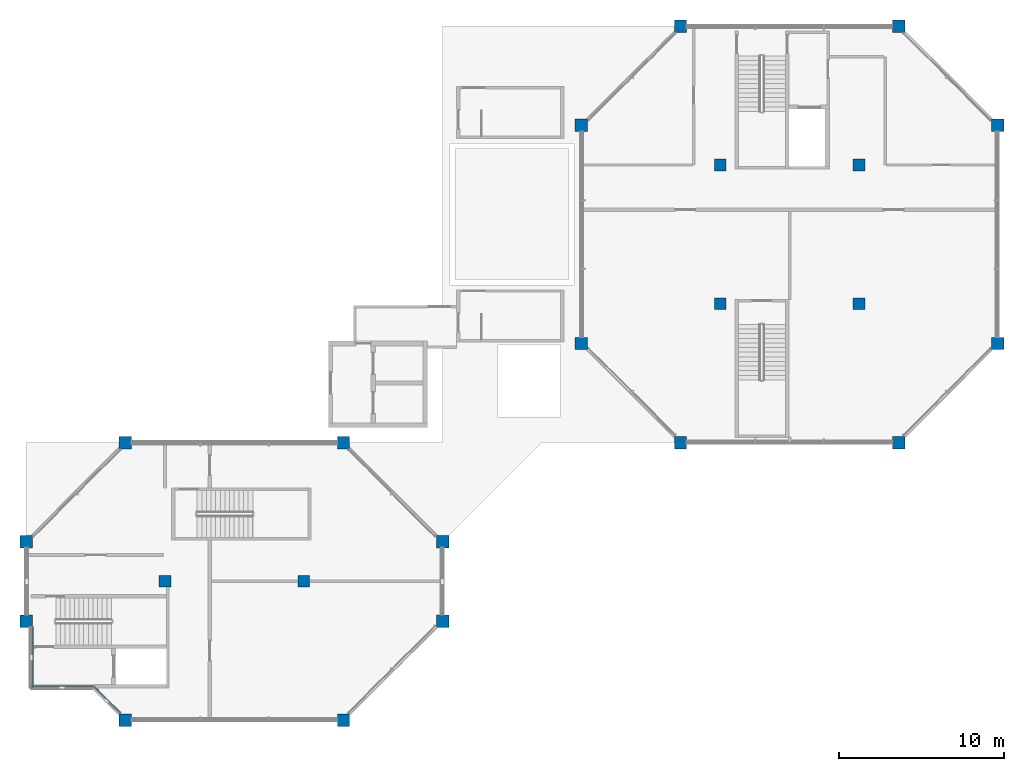
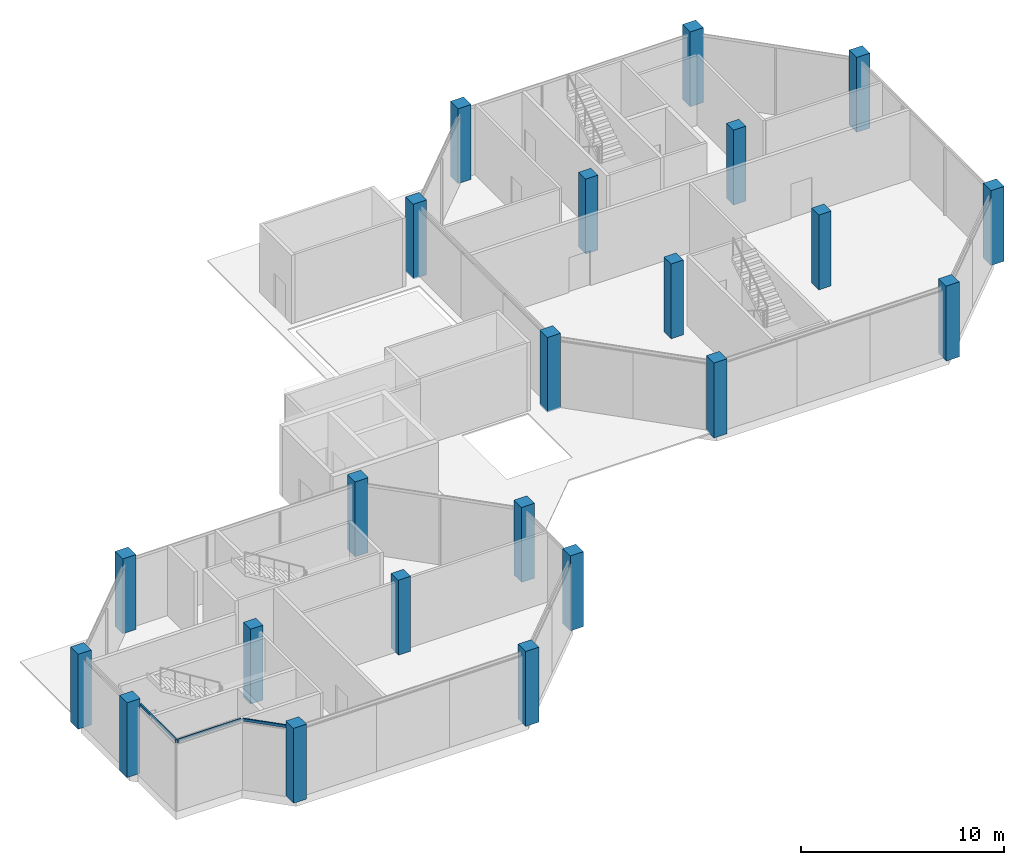
# One storey, part 1 of 10: 22 columns, 3 members, 3 elements without a shape of their own.
"""IFC4 building model written with IfcOpenShell, lengths in metres."""

from ifc_helpers import new_model, si_unit, direction, frame, origin, origin_2d, place, context, subcontext, project, spatial, rectangle, extrude, material, layer, layer_set, material_profile, profile_set, type_object, element, aggregate, save


model = new_model("IFC4")

# Units and contexts
model_context = context("Model", 3, precision=1e-05, world=origin(), true_north=direction((0.0, 1.0)))
body_context = subcontext(model_context, "Body", "Model", "MODEL_VIEW")
ifc_project = project(units=[si_unit("LENGTHUNIT", "METRE"), si_unit("AREAUNIT", "SQUARE_METRE"), si_unit("VOLUMEUNIT", "CUBIC_METRE"), si_unit("PLANEANGLEUNIT", "RADIAN"), si_unit("MASSUNIT", "GRAM", prefix="KILO")], contexts=[model_context])

# Site, building, storey
site_placement = place(None, origin())
site = spatial("IfcSite", under=ifc_project, at=site_placement, CompositionType="ELEMENT")
building_placement = place(site_placement, origin())
building = spatial("IfcBuilding", under=site, at=building_placement, Name="Kawkab Arch Medical Tower", CompositionType="ELEMENT")
storey_placement = place(building_placement, frame((0.0, 0.0, 336.699951171875)))
storey = spatial("IfcBuildingStorey", under=building, at=storey_placement, Name="L78", CompositionType="ELEMENT", Elevation=336.699951171875)

# Columns
ifc_material_1 = material(Name="Concrete C40/50", Category="concrete")
ifc_material_profile_1 = material_profile(ifc_material_1, rectangle(XDim=0.699951171875, YDim=0.699951171875, at=origin_2d()), Name="RC 700x700")
ifc_profile_set_1 = profile_set([ifc_material_profile_1], Name="Concrete C40/50")
column_type_1 = type_object("IfcColumnType", Name="RC 700x700 column C40/50", PredefinedType="COLUMN", material=ifc_profile_set_1)
for number, where, z_axis, x_axis, name in (
    (1, (42.0, -8.39990234375, 0.0), (0.0, 0.0, 1.0), (1.0, 0.0, 0.0), "Column RC 700x700"),
    (2, (50.39990234375, -8.39990234375, 0.0), (0.0, 0.0, 1.0), (1.0, 0.0, 0.0), "Column RC 700x700"),
    (3, (42.0, -16.800048828125, 0.0), (0.0, 0.0, 1.0), (1.0, 0.0, 0.0), "Column RC 700x700"),
    (4, (50.39990234375, -16.800048828125, 0.0), (0.0, 0.0, 1.0), (1.0, 0.0, 0.0), "Column RC 700x700"),
    (5, (8.39990234375, -33.60009765625, 0.0), (0.0, 0.0, 1.0), (1.0, 0.0, 0.0), "Column RC 700x700"),
    (6, (16.800048828125, -33.60009765625, 0.0), (0.0, 0.0, 1.0), (1.0, 0.0, 0.0), "Column RC 700x700"),
):
    element("IfcColumn", number, at=place(storey_placement, frame(where, z_axis=z_axis, x_axis=x_axis)), inside=storey, type_object=column_type_1, Name=name, PredefinedType="COLUMN", context=body_context, shape_type="SweptSolid", body=[
        extrude(rectangle(XDim=0.699951171875, YDim=0.699951171875, at=origin_2d()), origin(), (0.0, 0.0, 1.0), 4.5),
    ])
ifc_material_2 = material(Name="Concrete C40/50", Category="concrete")
ifc_material_profile_2 = material_profile(ifc_material_2, rectangle(XDim=0.75, YDim=0.75, at=origin_2d()), Name="RC 750x750")
ifc_profile_set_2 = profile_set([ifc_material_profile_2], Name="Concrete C40/50")
column_type_2 = type_object("IfcColumnType", Name="RC 750x750 column C40/50", PredefinedType="COLUMN", material=ifc_profile_set_2)
for number, where, z_axis, x_axis, name in (
    (7, (39.60009765625, 0.0, 0.0), (0.0, 0.0, 1.0), (1.0, 0.0, 0.0), "Column RC 750x750"),
    (8, (52.800048828125, 0.0, 0.0), (0.0, 0.0, 1.0), (1.0, 0.0, 0.0), "Column RC 750x750"),
    (9, (33.60009765625, -6.0, 0.0), (0.0, 0.0, 1.0), (1.0, 0.0, 0.0), "Column RC 750x750"),
    (10, (58.800048828125, -6.0, 0.0), (0.0, 0.0, 1.0), (1.0, 0.0, 0.0), "Column RC 750x750"),
    (11, (33.60009765625, -19.199951171875, 0.0), (0.0, 0.0, 1.0), (1.0, 0.0, 0.0), "Column RC 750x750"),
    (12, (58.800048828125, -19.199951171875, 0.0), (0.0, 0.0, 1.0), (1.0, 0.0, 0.0), "Column RC 750x750"),
    (13, (6.0, -25.199951171875, 0.0), (0.0, 0.0, 1.0), (1.0, 0.0, 0.0), "Column RC 750x750"),
    (14, (19.199951171875, -25.199951171875, 0.0), (0.0, 0.0, 1.0), (1.0, 0.0, 0.0), "Column RC 750x750"),
    (15, (39.60009765625, -25.199951171875, 0.0), (0.0, 0.0, 1.0), (1.0, 0.0, 0.0), "Column RC 750x750"),
    (16, (52.800048828125, -25.199951171875, 0.0), (0.0, 0.0, 1.0), (1.0, 0.0, 0.0), "Column RC 750x750"),
    (17, (0.0, -31.199951171875, 0.0), (0.0, 0.0, 1.0), (1.0, 0.0, 0.0), "Column RC 750x750"),
    (18, (25.199951171875, -31.199951171875, 0.0), (0.0, 0.0, 1.0), (1.0, 0.0, 0.0), "Column RC 750x750"),
    (19, (0.0, -36.0, 0.0), (0.0, 0.0, 1.0), (1.0, 0.0, 0.0), "Column RC 750x750"),
    (20, (25.199951171875, -36.0, 0.0), (0.0, 0.0, 1.0), (1.0, 0.0, 0.0), "Column RC 750x750"),
    (21, (6.0, -42.0, 0.0), (0.0, 0.0, 1.0), (1.0, 0.0, 0.0), "Column RC 750x750"),
    (22, (19.199951171875, -42.0, 0.0), (0.0, 0.0, 1.0), (1.0, 0.0, 0.0), "Column RC 750x750"),
):
    element("IfcColumn", number, at=place(storey_placement, frame(where, z_axis=z_axis, x_axis=x_axis)), inside=storey, type_object=column_type_2, Name=name, PredefinedType="COLUMN", context=body_context, shape_type="SweptSolid", body=[
        extrude(rectangle(XDim=0.75, YDim=0.75, at=origin_2d()), origin(), (0.0, 0.0, 1.0), 4.5),
    ])

# Curtain wall, member
ifc_material_3 = material(Name="Bronze anodised aluminium curtain wall frame", Category="aluminium")
ifc_layer = layer(ifc_material_3, 0.159912109375)
ifc_layer_set = layer_set([ifc_layer], Name="Bronze anodised aluminium curtain wall frame")
curtain_wall_type = type_object("IfcCurtainWallType", Name="CW6 helipad lobby and crown glazing", PredefinedType="NOTDEFINED", material=ifc_layer_set)
placement = place(storey_placement, origin())
curtain_wall_1 = element("IfcCurtainWall", 23, at=placement, inside=storey, type_object=curtain_wall_type, Name="CW6 Helipad lobby and crown glazing R14", PredefinedType="NOTDEFINED")
ifc_material_4 = material(Name="Bronze anodised aluminium curtain wall frame", Category="aluminium")
ifc_material_profile_3 = material_profile(ifc_material_4, rectangle(XDim=0.070068359375, YDim=0.159912109375, at=origin_2d()), Name="AL 70x160")
ifc_profile_set_3 = profile_set([ifc_material_profile_3], Name="Bronze anodised aluminium curtain wall frame")
member_type = type_object("IfcMemberType", Name="CW6 transom 160 x 70", PredefinedType="USERDEFINED", material=ifc_profile_set_3)
member_1_placement = place(storey_placement, frame((0.39990234375, -36.375, 4.1201171875), z_axis=(0.0, -1.0, 0.0), x_axis=(1.0, 0.0, 0.0)))
member_1 = element("IfcMember", 24, at=member_1_placement, type_object=member_type, Name="CW6 transom 1", ObjectType="TRANSOM", PredefinedType="USERDEFINED", context=body_context, shape_type="SweptSolid", body=[
    extrude(rectangle(XDim=0.070068359375, YDim=0.159912109375, at=origin_2d()), origin(), (0.0, 0.0, 1.0), 3.675048828125),
])
aggregate(curtain_wall_1, [member_1])

curtain_wall_2 = element("IfcCurtainWall", 25, at=placement, inside=storey, type_object=curtain_wall_type, Name="CW6 Helipad lobby and crown glazing R15", PredefinedType="NOTDEFINED")
member_2_placement = place(storey_placement, frame((0.300048828125, -39.949951171875, 4.1201171875), z_axis=(1.0, 0.0, 0.0), x_axis=(0.0, 1.0, 0.0)))
member_2 = element("IfcMember", 26, at=member_2_placement, type_object=member_type, Name="CW6 transom 1", ObjectType="TRANSOM", PredefinedType="USERDEFINED", context=body_context, shape_type="SweptSolid", body=[
    extrude(rectangle(XDim=0.070068359375, YDim=0.159912109375, at=origin_2d()), origin(), (0.0, 0.0, 1.0), 3.75),
])
aggregate(curtain_wall_2, [member_2])

curtain_wall_3 = element("IfcCurtainWall", 27, at=placement, inside=storey, type_object=curtain_wall_type, Name="CW6 Helipad lobby and crown glazing R16", PredefinedType="NOTDEFINED")
member_3_placement = place(storey_placement, frame((4.12060546875, -39.979248046875, 4.1201171875), z_axis=(0.707161580797, -0.707051977329, 0.0), x_axis=(0.707051977329, 0.707161580797, 0.0)))
member_3 = element("IfcMember", 28, at=member_3_placement, type_object=member_type, Name="CW6 transom 1", ObjectType="TRANSOM", PredefinedType="USERDEFINED", context=body_context, shape_type="SweptSolid", body=[
    extrude(rectangle(XDim=0.070068359375, YDim=0.159912109375, at=origin_2d()), origin(), (0.0, 0.0, 1.0), 2.2275390625),
])
aggregate(curtain_wall_3, [member_3])

save(model, "model.ifc")
